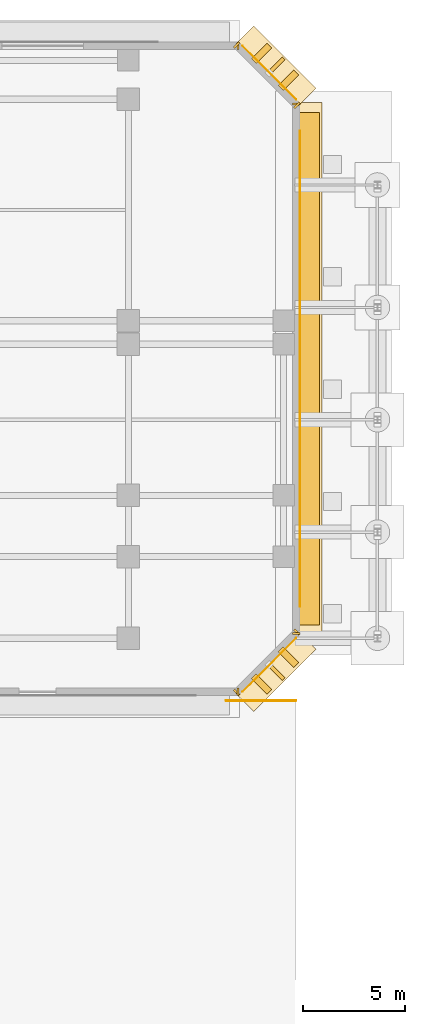
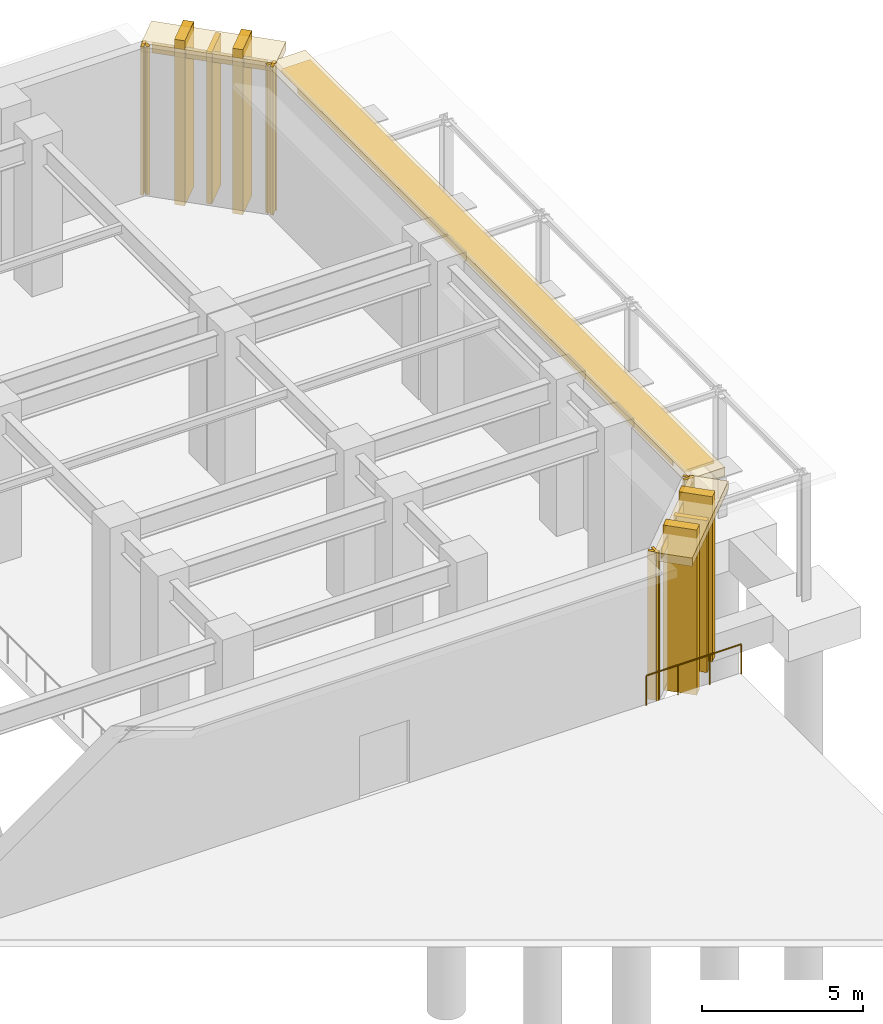
# One storey, part 17 of 18: 18 coverings, 3 shading devices, 1 railing.
"""IFC4 building model written with IfcOpenShell, lengths in metres."""

from ifc_helpers import new_model, si_unit, direction, frame, origin, origin_2d, place, context, subcontext, project, spatial, rectangle, circle, extrude, material, layer, layer_set, material_profile, profile_set, type_object, element, save


model = new_model("IFC4")

# Units and contexts
model_context = context("Model", 3, precision=1e-05, world=origin(), true_north=direction((0.0, 1.0)))
body_context = subcontext(model_context, "Body", "Model", "MODEL_VIEW")
ifc_project = project(units=[si_unit("LENGTHUNIT", "METRE"), si_unit("AREAUNIT", "SQUARE_METRE"), si_unit("VOLUMEUNIT", "CUBIC_METRE"), si_unit("PLANEANGLEUNIT", "RADIAN"), si_unit("MASSUNIT", "GRAM", prefix="KILO")], contexts=[model_context])

# Site, building, storey
site_placement = place(None, origin())
site = spatial("IfcSite", under=ifc_project, at=site_placement, CompositionType="ELEMENT")
building_placement = place(site_placement, origin())
building = spatial("IfcBuilding", under=site, at=building_placement, Name="Kefirva Bronze Tower", CompositionType="ELEMENT")
storey_placement = place(building_placement, origin())
storey = spatial("IfcBuildingStorey", under=building, at=storey_placement, Name="L00", CompositionType="ELEMENT", Elevation=0.0)

# Coverings
ifc_material = material(Name="Bronze anodised aluminium", Category="aluminium")
ifc_layer_1 = layer(ifc_material, 0.02001953125, Name="Bronze anodised aluminium")
ifc_layer_set_1 = layer_set([ifc_layer_1], Name="Bronze anodised aluminium")
covering_type_1 = type_object("IfcCoveringType", Name="Anodised Bronze Spandrel Cladding 20mm", PredefinedType="CLADDING", material=ifc_layer_set_1)
covering_1_placement = place(storey_placement, frame((78.965087890625, 16.179931640625, 0.0), z_axis=(0.0, 0.0, 1.0), x_axis=(1.0, 0.0, 0.0)))
element("IfcCovering", 1, at=covering_1_placement, inside=storey, type_object=covering_type_1, Name="L00 Facade Joint Closure Panel 5E", PredefinedType="CLADDING", context=body_context, shape_type="SweptSolid", body=[
    extrude(rectangle(XDim=0.10009765625, YDim=0.360107421875, at=origin_2d()), origin(), (0.0, 0.0, 1.0), 5.6201171875),
])
covering_2_placement = place(storey_placement, frame((80.507080078125, 17.492919921875, 5.199951171875), z_axis=(0.0, 0.0, 1.0), x_axis=(0.707106781187, 0.707106781187, 0.0)))
element("IfcCovering", 2, at=covering_2_placement, inside=storey, type_object=covering_type_1, Name="L00 Bronze Spandrel Cladding 6", PredefinedType="CLADDING", context=body_context, shape_type="SweptSolid", body=[
    extrude(rectangle(XDim=3.719482421875, YDim=0.02001953125, at=origin_2d()), origin(), (0.0, 0.0, 1.0), 0.39990234375),
])
for number, where, z_axis, x_axis, name in (
    (3, (78.8974609375, 16.152099609375, 0.0), (0.0, 0.0, 1.0), (0.707106781187, 0.707106781187, 0.0), "L00 Facade Joint Closure Panel 6S"),
    (4, (81.847900390625, 19.1025390625, 0.0), (0.0, 0.0, 1.0), (0.707106781187, 0.707106781187, 0.0), "L00 Facade Joint Closure Panel 6E"),
):
    element("IfcCovering", number, at=place(storey_placement, frame(where, z_axis=z_axis, x_axis=x_axis)), inside=storey, type_object=covering_type_1, Name=name, PredefinedType="CLADDING", context=body_context, shape_type="SweptSolid", body=[
        extrude(rectangle(XDim=0.10009765625, YDim=0.360107421875, at=origin_2d()), origin(), (0.0, 0.0, 1.0), 5.6201171875),
    ])
covering_3_placement = place(storey_placement, frame((82.010009765625, 32.0, 5.199951171875), z_axis=(0.0, 0.0, 1.0), x_axis=(0.0, 1.0, 0.0)))
element("IfcCovering", 5, at=covering_3_placement, inside=storey, type_object=covering_type_1, Name="L00 Bronze Spandrel Cladding 7", PredefinedType="CLADDING", context=body_context, shape_type="SweptSolid", body=[
    extrude(rectangle(XDim=23.301025390625, YDim=0.02001953125, at=origin_2d()), origin(), (0.0, 0.0, 1.0), 0.39990234375),
])
for number, where, z_axis, x_axis, name in (
    (6, (81.820068359375, 19.034912109375, 0.0), (0.0, 0.0, 1.0), (0.0, 1.0, 0.0), "L00 Facade Joint Closure Panel 7S"),
    (7, (81.820068359375, 44.965087890625, 0.0), (0.0, 0.0, 1.0), (0.0, 1.0, 0.0), "L00 Facade Joint Closure Panel 7E"),
):
    element("IfcCovering", number, at=place(storey_placement, frame(where, z_axis=z_axis, x_axis=x_axis)), inside=storey, type_object=covering_type_1, Name=name, PredefinedType="CLADDING", context=body_context, shape_type="SweptSolid", body=[
        extrude(rectangle(XDim=0.10009765625, YDim=0.360107421875, at=origin_2d()), origin(), (0.0, 0.0, 1.0), 5.6201171875),
    ])
covering_4_placement = place(storey_placement, frame((80.507080078125, 46.507080078125, 5.199951171875), z_axis=(0.0, 0.0, 1.0), x_axis=(-0.707106781187, 0.707106781187, 0.0)))
element("IfcCovering", 8, at=covering_4_placement, inside=storey, type_object=covering_type_1, Name="L00 Bronze Spandrel Cladding 8", PredefinedType="CLADDING", context=body_context, shape_type="SweptSolid", body=[
    extrude(rectangle(XDim=3.719482421875, YDim=0.02001953125, at=origin_2d()), origin(), (0.0, 0.0, 1.0), 0.39990234375),
])
for number, where, z_axis, x_axis, name in (
    (9, (81.847900390625, 44.8974609375, 0.0), (0.0, 0.0, 1.0), (-0.707106781187, 0.707106781187, 0.0), "L00 Facade Joint Closure Panel 8S"),
    (10, (78.8974609375, 47.847900390625, 0.0), (0.0, 0.0, 1.0), (-0.707106781187, 0.707106781187, 0.0), "L00 Facade Joint Closure Panel 8E"),
    (11, (78.965087890625, 47.820068359375, 0.0), (0.0, 0.0, 1.0), (-1.0, 0.0, 0.0), "L00 Facade Joint Closure Panel 9S"),
):
    element("IfcCovering", number, at=place(storey_placement, frame(where, z_axis=z_axis, x_axis=x_axis)), inside=storey, type_object=covering_type_1, Name=name, PredefinedType="CLADDING", context=body_context, shape_type="SweptSolid", body=[
        extrude(rectangle(XDim=0.10009765625, YDim=0.360107421875, at=origin_2d()), origin(), (0.0, 0.0, 1.0), 5.6201171875),
    ])

# Shading devices
ifc_material_profile = material_profile(ifc_material, rectangle(XDim=0.179931640625, YDim=1.080078125, at=origin_2d()), Name="BRONZE BUTTRESS FIN 180x1080")
ifc_profile_set = profile_set([ifc_material_profile], Name="Bronze anodised aluminium")
shading_device_type_1 = type_object("IfcShadingDeviceType", Name="Chamfered Corner Buttress Bronze Fin 1080mm", PredefinedType="USERDEFINED", material=ifc_profile_set)
for number, where, z_axis, x_axis, name in (
    (12, (80.8251953125, 17.1748046875, -0.139892578125), (0.0, 0.0, 1.0), (0.707106781187, 0.707106781187, 0.0), "L00 Chamfered Corner Buttress Fin 6"),
    (13, (80.8251953125, 46.8251953125, -0.139892578125), (0.0, 0.0, 1.0), (-0.707106781187, 0.707106781187, 0.0), "L00 Chamfered Corner Buttress Fin 8"),
):
    element("IfcShadingDevice", number, at=place(storey_placement, frame(where, z_axis=z_axis, x_axis=x_axis)), inside=storey, type_object=shading_device_type_1, Name=name, ObjectType="VERTICAL FIN", PredefinedType="USERDEFINED", context=body_context, shape_type="SweptSolid", body=[
        extrude(rectangle(XDim=0.179931640625, YDim=1.080078125, at=origin_2d()), origin(), (0.0, 0.0, 1.0), 5.760009765625),
    ])

# Railing
railing_type = type_object("IfcRailingType", Name="Exterior Ship-Deck Terrace Guardrail 1150mm", PredefinedType="GUARDRAIL", material=ifc_material)
railing_placement = place(storey_placement, frame((78.39990234375, 15.75, 0.179931640625)))
element("IfcRailing", 14, at=railing_placement, inside=storey, type_object=railing_type, Name="L00 Forecourt Plaza East Step Guardrail", PredefinedType="GUARDRAIL", context=body_context, shape_type="SweptSolid", body=[
    extrude(circle(Radius=0.02392578125, at=origin_2d()), frame((0.0, 0.0, 1.1259765625), z_axis=(1.0, 0.0, 0.0), x_axis=(0.0, 1.0, 0.0)), (0.0, 0.0, 1.0), 3.400146484375),
    extrude(circle(Radius=0.02099609375, at=origin_2d()), origin(), (0.0, 0.0, 1.0), 1.101806640625),
    extrude(circle(Radius=0.02099609375, at=origin_2d()), frame((1.13330078125, 0.0, 0.0)), (0.0, 0.0, 1.0), 1.101806640625),
    extrude(circle(Radius=0.02099609375, at=origin_2d()), frame((2.266845703125, 0.0, 0.0)), (0.0, 0.0, 1.0), 1.101806640625),
    extrude(circle(Radius=0.02099609375, at=origin_2d()), frame((3.400146484375, 0.0, 0.0)), (0.0, 0.0, 1.0), 1.101806640625),
])

# Shading device
ifc_layer_2 = layer(ifc_material, 0.1201171875, Name="Bronze anodised aluminium")
ifc_layer_set_2 = layer_set([ifc_layer_2], Name="Bronze anodised aluminium")
shading_device_type_2 = type_object("IfcShadingDeviceType", Name="Podium Deep Bronze Canopy Sunshade 1050mm", PredefinedType="JALOUSIE", material=ifc_layer_set_2)
shading_device_placement = place(storey_placement, frame((82.445068359375, 32.0, 5.51513671875), z_axis=(0.0, 0.0, 1.0), x_axis=(0.0, 1.0, 0.0)))
element("IfcShadingDevice", 15, at=shading_device_placement, inside=storey, type_object=shading_device_type_2, Name="L00 Horizontal Bronze Sunshade Band 6", PredefinedType="JALOUSIE", context=body_context, shape_type="SweptSolid", body=[
    extrude(rectangle(XDim=25.090087890625, YDim=1.050048828125, at=origin_2d()), origin(), (0.0, 0.0, 1.0), 0.090087890625),
])

# Coverings
ifc_layer_3 = layer(ifc_material, 0.179931640625, Name="Bronze anodised aluminium")
ifc_layer_set_3 = layer_set([ifc_layer_3], Name="Bronze anodised aluminium")
covering_type_2 = type_object("IfcCoveringType", Name="Streamline Bronze Sunshade Eyebrow Cladding 180mm", PredefinedType="CLADDING", material=ifc_layer_set_3)
covering_5_placement = place(storey_placement, frame((80.8251953125, 17.1748046875, 5.2998046875), z_axis=(0.0, 0.0, 1.0), x_axis=(0.707106781187, 0.707106781187, 0.0)))
element("IfcCovering", 16, at=covering_5_placement, inside=storey, type_object=covering_type_2, Name="L00 Streamline Bronze Sunshade Eyebrow 5", PredefinedType="CLADDING", context=body_context, shape_type="SweptSolid", body=[
    extrude(rectangle(XDim=4.322509765625, YDim=1.239990234375, at=origin_2d()), origin(), (0.0, 0.0, 1.0), 0.320068359375),
])
covering_6_placement = place(storey_placement, frame((82.4599609375, 32.0, 5.2998046875), z_axis=(0.0, 0.0, 1.0), x_axis=(0.0, 1.0, 0.0)))
element("IfcCovering", 17, at=covering_6_placement, inside=storey, type_object=covering_type_2, Name="L00 Streamline Bronze Sunshade Eyebrow 6", PredefinedType="CLADDING", context=body_context, shape_type="SweptSolid", body=[
    extrude(rectangle(XDim=26.080078125, YDim=1.239990234375, at=origin_2d()), origin(), (0.0, 0.0, 1.0), 0.320068359375),
])
covering_7_placement = place(storey_placement, frame((80.8251953125, 46.8251953125, 5.2998046875), z_axis=(0.0, 0.0, 1.0), x_axis=(-0.707106781187, 0.707106781187, 0.0)))
element("IfcCovering", 18, at=covering_7_placement, inside=storey, type_object=covering_type_2, Name="L00 Streamline Bronze Sunshade Eyebrow 7", PredefinedType="CLADDING", context=body_context, shape_type="SweptSolid", body=[
    extrude(rectangle(XDim=4.322509765625, YDim=1.239990234375, at=origin_2d()), origin(), (0.0, 0.0, 1.0), 0.320068359375),
])
ifc_layer_4 = layer(ifc_material, 0.260009765625, Name="Bronze anodised aluminium")
ifc_layer_set_4 = layer_set([ifc_layer_4], Name="Bronze anodised aluminium")
covering_type_3 = type_object("IfcCoveringType", Name="Unbroken Bronze Buttress Fin Cladding 260mm", PredefinedType="CLADDING", material=ifc_layer_set_4)
for number, where, z_axis, x_axis, name in (
    (19, (80.122802734375, 16.55712890625, -0.31982421875), (0.0, 0.0, 1.0), (0.707106781187, 0.707106781187, 0.0), "L00 Chamfered Corner Buttress Fin Cladding 5"),
    (20, (81.44287109375, 17.877197265625, -0.31982421875), (0.0, 0.0, 1.0), (0.707106781187, 0.707106781187, 0.0), "L00 Chamfered Corner Buttress Fin Cladding 6"),
    (21, (81.44287109375, 46.122802734375, -0.31982421875), (0.0, 0.0, 1.0), (-0.707106781187, 0.707106781187, 0.0), "L00 Chamfered Corner Buttress Fin Cladding 7"),
    (22, (80.122802734375, 47.44287109375, -0.31982421875), (0.0, 0.0, 1.0), (-0.707106781187, 0.707106781187, 0.0), "L00 Chamfered Corner Buttress Fin Cladding 8"),
):
    element("IfcCovering", number, at=place(storey_placement, frame(where, z_axis=z_axis, x_axis=x_axis)), inside=storey, type_object=covering_type_3, Name=name, PredefinedType="CLADDING", context=body_context, shape_type="SweptSolid", body=[
        extrude(rectangle(XDim=0.340087890625, YDim=1.080078125, at=origin_2d()), origin(), (0.0, 0.0, 1.0), 6.260009765625),
    ])

save(model, "model.ifc")
